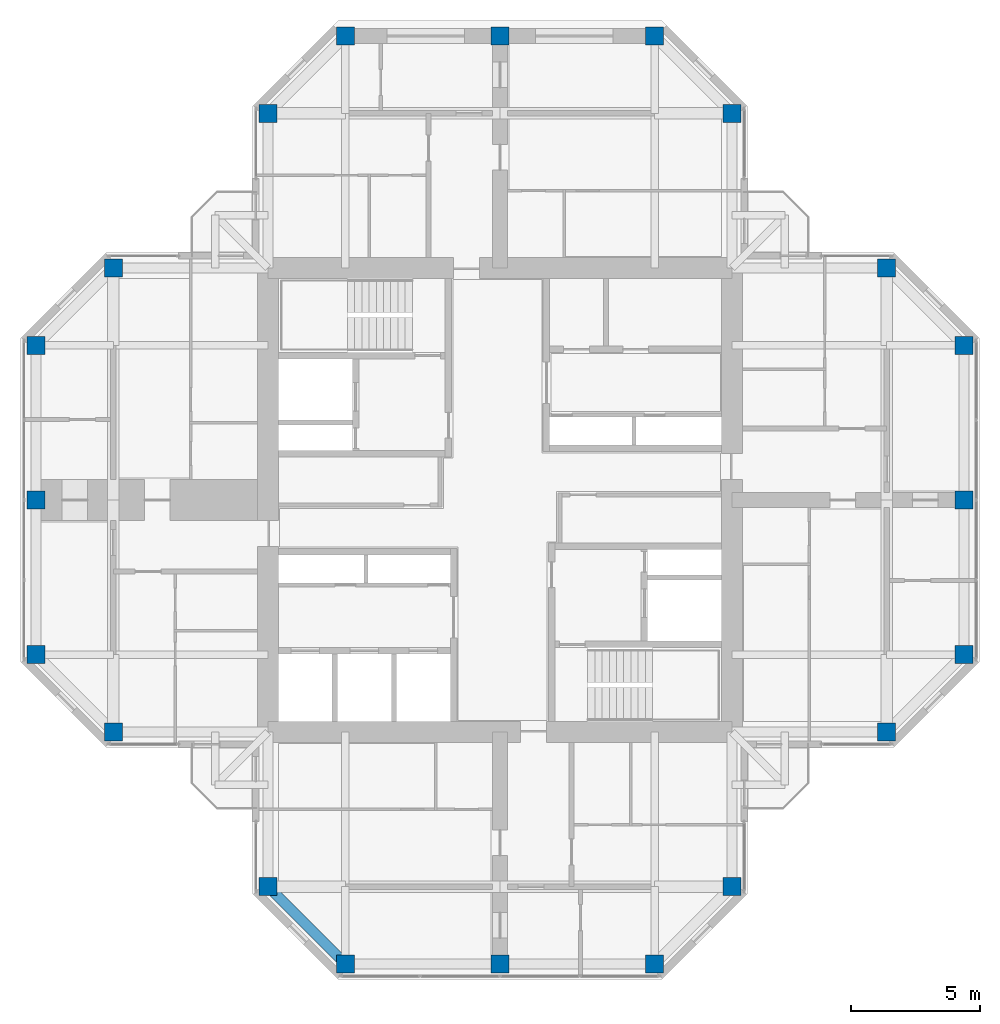
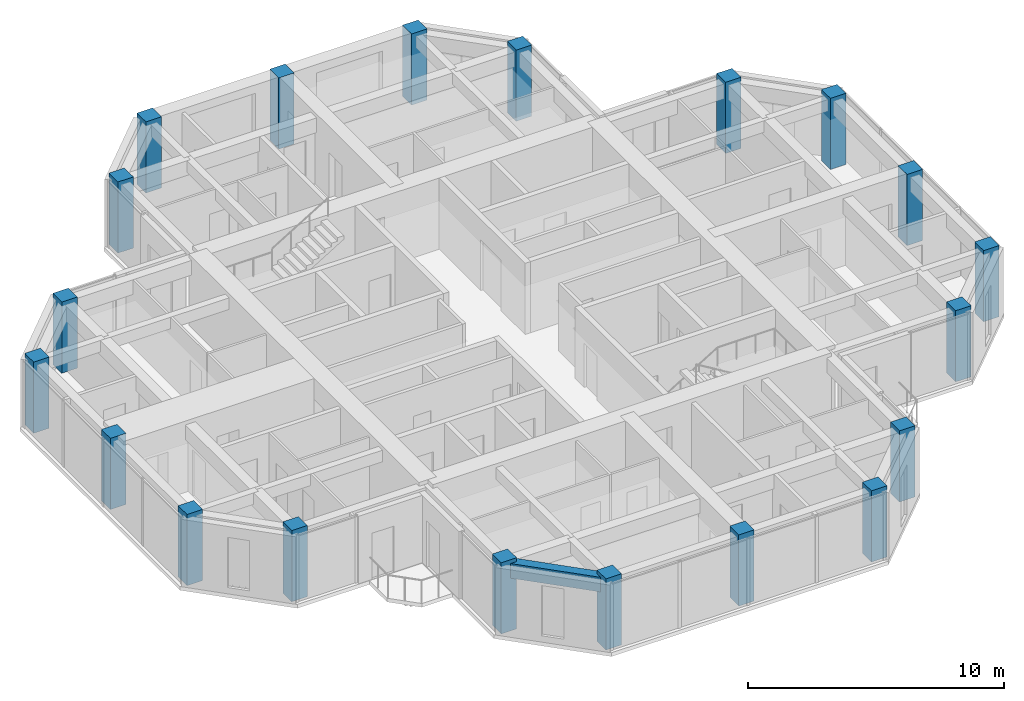
# One storey, part 1 of 13: 20 columns, 1 beam.
"""IFC4 building model written with IfcOpenShell, lengths in metres."""

from ifc_helpers import new_model, si_unit, direction, frame, origin, origin_2d, place, context, subcontext, project, spatial, rectangle, extrude, material, material_profile, profile_set, type_object, element, save


model = new_model("IFC4")

# Units and contexts
model_context = context("Model", 3, precision=1e-05, world=origin(), true_north=direction((0.0, 1.0)))
body_context = subcontext(model_context, "Body", "Model", "MODEL_VIEW")
ifc_project = project(units=[si_unit("LENGTHUNIT", "METRE"), si_unit("AREAUNIT", "SQUARE_METRE"), si_unit("VOLUMEUNIT", "CUBIC_METRE"), si_unit("PLANEANGLEUNIT", "RADIAN"), si_unit("MASSUNIT", "GRAM", prefix="KILO")], contexts=[model_context])

# Site, building, storey
site_placement = place(None, origin())
site = spatial("IfcSite", under=ifc_project, at=site_placement, CompositionType="ELEMENT")
building_placement = place(site_placement, origin())
building = spatial("IfcBuilding", under=site, at=building_placement, Name="Torre Cruceta", CompositionType="ELEMENT")
storey_placement = place(building_placement, frame((0.0, 0.0, 264.5)))
storey = spatial("IfcBuildingStorey", under=building, at=storey_placement, Name="L68", CompositionType="ELEMENT", Elevation=264.5)

# Columns
ifc_material_1 = material(Name="Concrete G60 (fck 60 MPa)", Category="concrete")
ifc_material_profile_1 = material_profile(ifc_material_1, rectangle(XDim=0.699951171875, YDim=0.699951171875, at=origin_2d()), Name="RC 700X700")
ifc_profile_set_1 = profile_set([ifc_material_profile_1], Name="Concrete G60 (fck 60 MPa)")
column_type = type_object("IfcColumnType", Name="COLUMN RC 700X700", PredefinedType="COLUMN", material=ifc_profile_set_1)
for number, where, z_axis, x_axis, name in (
    (1, (9.0, 15.0, 0.0), (0.0, 0.0, 1.0), (1.0, 0.0, 0.0), "C8 L68 N chamfer"),
    (2, (-9.0, 15.0, 0.0), (0.0, 0.0, 1.0), (1.0, 0.0, 0.0), "C8 L68 N chamfer"),
    (3, (6.0, 18.0, 0.0), (0.0, 0.0, 1.0), (1.0, 0.0, 0.0), "C8 L68 N tip"),
    (4, (0.0, 18.0, 0.0), (0.0, 0.0, 1.0), (1.0, 0.0, 0.0), "C8 L68 N tip"),
    (5, (-6.0, 18.0, 0.0), (0.0, 0.0, 1.0), (1.0, 0.0, 0.0), "C8 L68 N tip"),
    (6, (15.0, -9.0, 0.0), (0.0, 0.0, 1.0), (1.0, 0.0, 0.0), "C8 L68 E chamfer"),
    (7, (15.0, 9.0, 0.0), (0.0, 0.0, 1.0), (1.0, 0.0, 0.0), "C8 L68 E chamfer"),
    (8, (18.0, -6.0, 0.0), (0.0, 0.0, 1.0), (1.0, 0.0, 0.0), "C8 L68 E tip"),
    (9, (18.0, 0.0, 0.0), (0.0, 0.0, 1.0), (1.0, 0.0, 0.0), "C8 L68 E tip"),
    (10, (18.0, 6.0, 0.0), (0.0, 0.0, 1.0), (1.0, 0.0, 0.0), "C8 L68 E tip"),
    (11, (-9.0, -15.0, 0.0), (0.0, 0.0, 1.0), (1.0, 0.0, 0.0), "C8 L68 S chamfer"),
    (12, (9.0, -15.0, 0.0), (0.0, 0.0, 1.0), (1.0, 0.0, 0.0), "C8 L68 S chamfer"),
    (13, (-6.0, -18.0, 0.0), (0.0, 0.0, 1.0), (1.0, 0.0, 0.0), "C8 L68 S tip"),
    (14, (0.0, -18.0, 0.0), (0.0, 0.0, 1.0), (1.0, 0.0, 0.0), "C8 L68 S tip"),
    (15, (6.0, -18.0, 0.0), (0.0, 0.0, 1.0), (1.0, 0.0, 0.0), "C8 L68 S tip"),
    (16, (-15.0, 9.0, 0.0), (0.0, 0.0, 1.0), (1.0, 0.0, 0.0), "C8 L68 W chamfer"),
    (17, (-15.0, -9.0, 0.0), (0.0, 0.0, 1.0), (1.0, 0.0, 0.0), "C8 L68 W chamfer"),
    (18, (-18.0, 6.0, 0.0), (0.0, 0.0, 1.0), (1.0, 0.0, 0.0), "C8 L68 W tip"),
    (19, (-18.0, 0.0, 0.0), (0.0, 0.0, 1.0), (1.0, 0.0, 0.0), "C8 L68 W tip"),
    (20, (-18.0, -6.0, 0.0), (0.0, 0.0, 1.0), (1.0, 0.0, 0.0), "C8 L68 W tip"),
):
    element("IfcColumn", number, at=place(storey_placement, frame(where, z_axis=z_axis, x_axis=x_axis)), inside=storey, type_object=column_type, Name=name, PredefinedType="COLUMN", context=body_context, shape_type="SweptSolid", body=[
        extrude(rectangle(XDim=0.699951171875, YDim=0.699951171875, at=origin_2d()), origin(), (0.0, 0.0, 1.0), 3.39990234375),
    ])

# Beam
ifc_material_2 = material(Name="Concrete G60 (fck 60 MPa)", Category="concrete")
ifc_material_profile_2 = material_profile(ifc_material_2, rectangle(XDim=0.39990234375, YDim=0.699951171875, at=origin_2d()), Name="RC 400X700")
ifc_profile_set_2 = profile_set([ifc_material_profile_2], Name="Concrete G60 (fck 60 MPa)")
beam_type = type_object("IfcBeamType", Name="SPANDREL BEAM RC 400X700", PredefinedType="SPANDREL", material=ifc_profile_set_2)
beam_placement = place(storey_placement, frame((-9.0, -15.0, 2.8701171875), z_axis=(0.707106781187, -0.707106781187, 0.0), x_axis=(0.707106781187, 0.707106781187, 0.0)))
element("IfcBeam", 21, at=beam_placement, inside=storey, type_object=beam_type, Name="SB8 L68 S side- 2", PredefinedType="SPANDREL", context=body_context, shape_type="SweptSolid", body=[
    extrude(rectangle(XDim=0.39990234375, YDim=0.699951171875, at=origin_2d()), origin(), (0.0, 0.0, 1.0), 4.24267578125),
])

save(model, "model.ifc")
